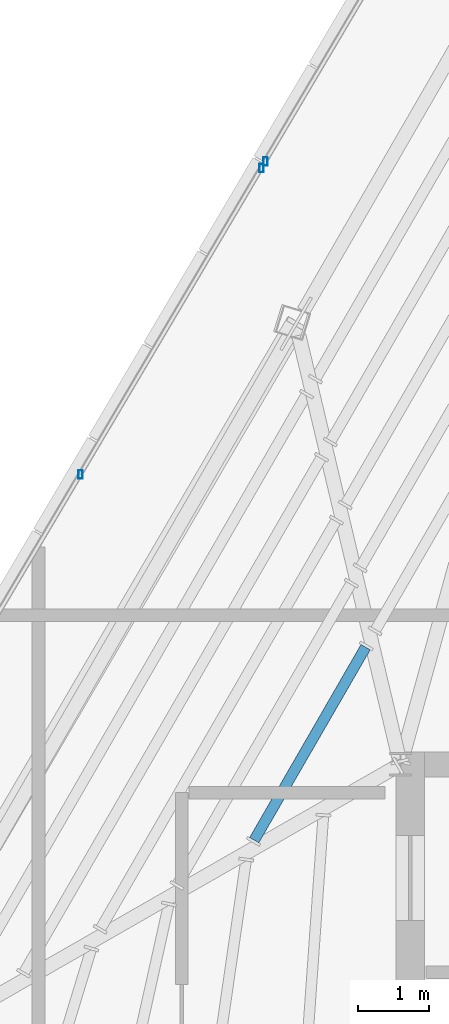
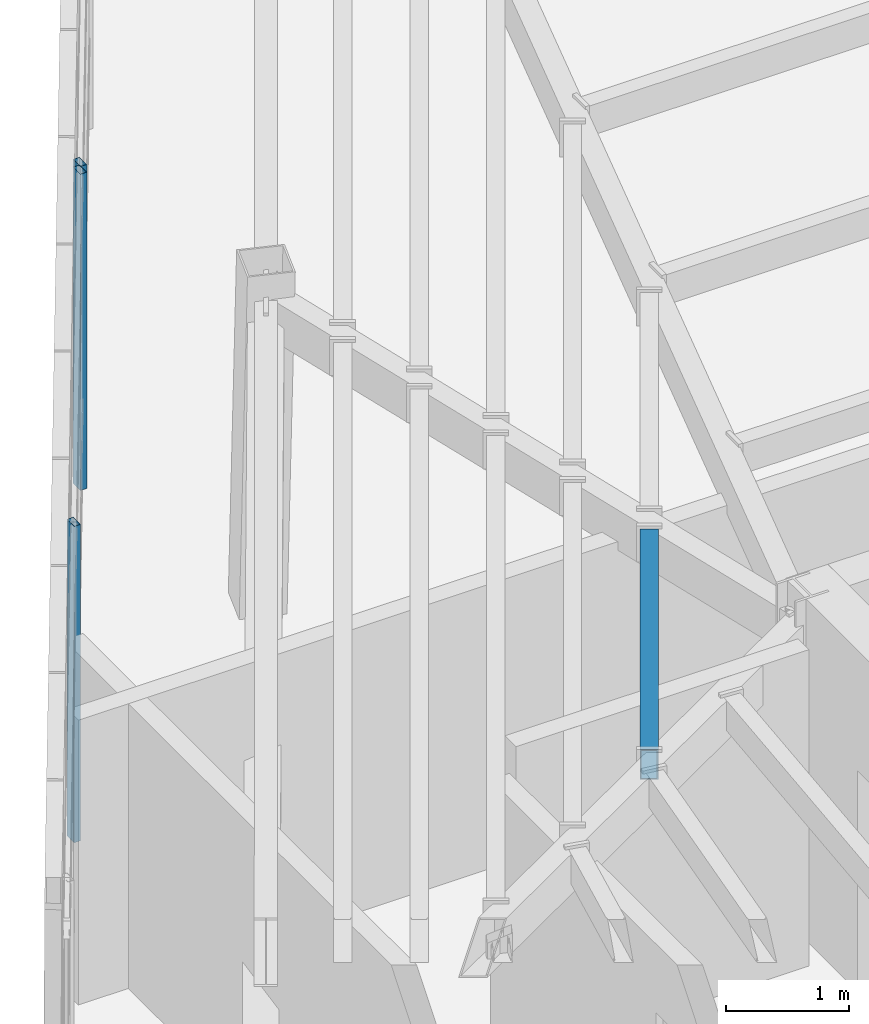
# One storey, part 19 of 47: 3 members, 1 beam, 2 elements without a shape of their own.
"""IFC4 building model written with IfcOpenShell, lengths in metres."""

import ifcopenshell
import ifcopenshell.guid

model = None  # the IFC model being written
_history = None  # IfcOwnerHistory: only IFC2X3 demands one
_inside = {}  # id of a spatial element -> (the spatial element, [elements in it])
_under = {}  # id of a project, library or spatial element -> (it, [spatial elements below it])
_declared = {}  # id of a project -> (the project, [libraries it declares])
_typed = {}  # id of a type object -> (the type object, [elements of that type])
_made_of = {}  # id of a material, layer set ... -> (it, [elements and type objects made of it])


def new_model(schema):
    """Start an empty IFC model of exactly this schema.

    Asked for "IFC4X3", IfcOpenShell would pick the latest addendum, in which some entities
    have other attributes; the version numbers below select the first issue.
    IFC2X3 requires an IfcOwnerHistory on every rooted entity: one is made here for all.
    """
    global model, _history
    if schema == "IFC4X3":
        model = ifcopenshell.file(schema_version=(4, 3, 0, 0))
    else:
        model = ifcopenshell.file(schema=schema)
    _inside.clear()
    _under.clear()
    _declared.clear()
    _typed.clear()
    _made_of.clear()
    _history = None
    if model.schema == "IFC2X3":
        org = make("IfcOrganization", Name="unknown")
        user = make(
            "IfcPersonAndOrganization",
            ThePerson=make("IfcPerson", FamilyName="unknown"),
            TheOrganization=org,
        )
        app = make(
            "IfcApplication",
            ApplicationDeveloper=org,
            Version="unknown",
            ApplicationFullName="unknown",
            ApplicationIdentifier="unknown",
        )
        _history = make(
            "IfcOwnerHistory",
            OwningUser=user,
            OwningApplication=app,
            ChangeAction="ADDED",
            CreationDate=0,
        )
    return model


def make(cls, **values):
    """One entity of the class cls with the attributes given. An attribute that is None is left unset."""
    return model.create_entity(
        cls, **{name: value for name, value in values.items() if value is not None}
    )


def rooted(cls, **values):
    """An entity with a GlobalId (a new one), such as an element, a storey or a relation."""
    return make(cls, GlobalId=ifcopenshell.guid.new(), OwnerHistory=_history, **values)


def si_unit(unit_type, name, prefix=None):
    """IfcSIUnit, for example si_unit("LENGTHUNIT", "METRE", prefix="MILLI")."""
    return make("IfcSIUnit", UnitType=unit_type, Prefix=prefix, Name=name)


def assignment(units):
    """IfcUnitAssignment: the units of a project."""
    return None if units is None else make("IfcUnitAssignment", Units=units)


def point(xyz):
    """IfcCartesianPoint."""
    return None if xyz is None else make("IfcCartesianPoint", Coordinates=xyz)


def direction(xyz):
    """IfcDirection."""
    return None if xyz is None else make("IfcDirection", DirectionRatios=xyz)


def frame(location, z_axis=None, x_axis=None):
    """IfcAxis2Placement3D, a coordinate frame: its origin and axes. An axis left out is left unset."""
    return make(
        "IfcAxis2Placement3D",
        Location=point(location),
        Axis=direction(z_axis),
        RefDirection=direction(x_axis),
    )


def frame_2d(location, x_axis=None):
    """IfcAxis2Placement2D, a coordinate frame in the plane: its origin and x axis."""
    return make(
        "IfcAxis2Placement2D", Location=point(location), RefDirection=direction(x_axis)
    )


def origin():
    """The frame at (0, 0, 0) with its axes left unset."""
    return frame((0.0, 0.0, 0.0))


def origin_2d():
    """The frame at (0, 0) in the plane with its x axis left unset."""
    return frame_2d((0.0, 0.0))


def place(relative_to, where):
    """IfcLocalPlacement: puts the frame where relative to a parent placement (None: the world)."""
    return make(
        "IfcLocalPlacement", PlacementRelTo=relative_to, RelativePlacement=where
    )


def context(
    kind, dimensions, precision=None, world=None, true_north=None, identifier=None
):
    """IfcGeometricRepresentationContext, for example the 3D "Model" context."""
    return make(
        "IfcGeometricRepresentationContext",
        ContextIdentifier=identifier,
        ContextType=kind,
        CoordinateSpaceDimension=dimensions,
        Precision=precision,
        WorldCoordinateSystem=world,
        TrueNorth=true_north,
    )


def subcontext(parent, identifier, kind, view, scale=None):
    """IfcGeometricRepresentationSubContext, for example "Body" below "Model"."""
    return make(
        "IfcGeometricRepresentationSubContext",
        ContextIdentifier=identifier,
        ContextType=kind,
        ParentContext=parent,
        TargetScale=scale,
        TargetView=view,
    )


def project(units=None, contexts=None):
    """IfcProject with its units and contexts."""
    return rooted(
        "IfcProject",
        Name="project",
        RepresentationContexts=contexts,
        UnitsInContext=assignment(units),
    )


def spatial(cls, under=None, at=None, **own):
    """A site, building, storey or space (cls), placed at a placement, below another one or the project."""
    s = rooted(cls, ObjectPlacement=at, **own)
    if under is not None:
        _under.setdefault(under.id(), (under, []))[1].append(s)
    return s


def profile(cls, at=None, kind="AREA", **sizes):
    """A parametric profile (cls). Its sizes go by their IFC names, for example OverallWidth=200.0."""
    return make(cls, ProfileType=kind, Position=at, **sizes)


def hollow_rectangle(**sizes):
    """IfcRectangleHollowProfileDef."""
    return profile("IfcRectangleHollowProfileDef", **sizes)


def extrude(swept, where, along, depth):
    """IfcExtrudedAreaSolid: the profile swept, set in the frame where, extruded along a direction by depth."""
    return make(
        "IfcExtrudedAreaSolid",
        SweptArea=swept,
        Position=where,
        ExtrudedDirection=direction(along),
        Depth=depth,
    )


def shape(context_of_items, identifier, shape_type, items):
    """IfcShapeRepresentation: the items that make up one representation, for example the "Body"."""
    return make(
        "IfcShapeRepresentation",
        ContextOfItems=context_of_items,
        RepresentationIdentifier=identifier,
        RepresentationType=shape_type,
        Items=items,
    )


def source(mapping_origin, context_of_items, identifier, shape_type, items):
    """IfcRepresentationMap: a shape defined once, which mapped items show again and again."""
    return make(
        "IfcRepresentationMap",
        MappingOrigin=mapping_origin,
        MappedRepresentation=shape(context_of_items, identifier, shape_type, items),
    )


def transform(
    local_origin,
    x_axis=None,
    y_axis=None,
    z_axis=None,
    scale=None,
    scale2=None,
    scale3=None,
    uniform=True,
):
    """IfcCartesianTransformationOperator3D, or its non-uniform kind. x_axis, y_axis, z_axis: its Axis1, 2, 3."""
    if uniform:
        return make(
            "IfcCartesianTransformationOperator3D",
            Axis1=direction(x_axis),
            Axis2=direction(y_axis),
            LocalOrigin=point(local_origin),
            Scale=scale,
            Axis3=direction(z_axis),
        )
    return make(
        "IfcCartesianTransformationOperator3DnonUniform",
        Axis1=direction(x_axis),
        Axis2=direction(y_axis),
        LocalOrigin=point(local_origin),
        Scale=scale,
        Axis3=direction(z_axis),
        Scale2=scale2,
        Scale3=scale3,
    )


def mapped(mapping_source, mapping_target):
    """IfcMappedItem: shows the shape of a source again, moved by a transform."""
    return make(
        "IfcMappedItem", MappingSource=mapping_source, MappingTarget=mapping_target
    )


def material(Name=None, Category=None):
    """IfcMaterial."""
    return make("IfcMaterial", Name=Name, Category=Category)


def material_profile(
    of_material, cross_section, Name=None, Category=None, Priority=None
):
    """IfcMaterialProfile: a cross section and its material."""
    return make(
        "IfcMaterialProfile",
        Name=Name,
        Material=of_material,
        Profile=cross_section,
        Priority=Priority,
        Category=Category,
    )


def profile_set(profiles, Name=None, composite=None):
    """IfcMaterialProfileSet."""
    return make(
        "IfcMaterialProfileSet",
        Name=Name,
        MaterialProfiles=profiles,
        CompositeProfile=composite,
    )


def made_of(thing, what):
    """Note that an element or type object is made of a material, layer set ...; save() writes the relation."""
    if what is not None:
        _made_of.setdefault(what.id(), (what, []))[1].append(thing)
    return thing


def type_object(cls, material=None, **own):
    """A type object (cls), such as IfcWallType, which elements share."""
    return made_of(rooted(cls, **own), material)


def type_shapes(of_type, sources):
    """Give a type object the sources (RepresentationMaps) that its elements show as mapped items."""
    of_type.RepresentationMaps = sources


def element(
    cls,
    number,
    at=None,
    inside=None,
    cuts=None,
    type_object=None,
    material=None,
    context=None,
    identifier="Body",
    shape_type=None,
    held_by="IfcProductDefinitionShape",
    body=None,
    shapes=None,
    **own,
):
    """One element of the class cls, such as IfcWall. Its Tag is "e" and its number.

    at: its placement. inside: the storey or other place that contains it. cuts: it is an
    opening in that element (IfcRelVoidsElement). A single representation is given by context,
    identifier, shape_type and body (its items); several are given by shapes. held_by: the class
    of the entity that holds the representations. save() writes the other relations.
    """
    e = rooted(cls, Tag="e%d" % number, ObjectPlacement=at, **own)
    if body is not None:
        shapes = [shape(context, identifier, shape_type, body)]
    if shapes is not None:
        e.Representation = make(held_by, Representations=shapes)
    if inside is not None:
        _inside.setdefault(inside.id(), (inside, []))[1].append(e)
    if cuts is not None:
        rooted(
            "IfcRelVoidsElement", RelatingBuildingElement=cuts, RelatedOpeningElement=e
        )
    if type_object is not None:
        _typed.setdefault(type_object.id(), (type_object, []))[1].append(e)
    return made_of(e, material)


def aggregate(whole, parts):
    """IfcRelAggregates: a whole, such as a stair, and the parts it consists of."""
    return rooted("IfcRelAggregates", RelatingObject=whole, RelatedObjects=parts)


def save(model, path):
    """Write the relations noted so far, then the file.

    IfcRelAggregates (storeys below a building ...), IfcRelContainedInSpatialStructure (elements
    in a storey), IfcRelDefinesByType, IfcRelAssociatesMaterial and IfcRelDeclares: one each for
    every whole, place, type object, material and project.
    """
    for whole, parts in _under.values():
        aggregate(whole, parts)
    for where, things in _inside.values():
        rooted(
            "IfcRelContainedInSpatialStructure",
            RelatedElements=things,
            RelatingStructure=where,
        )
    for kind, things in _typed.values():
        rooted("IfcRelDefinesByType", RelatedObjects=things, RelatingType=kind)
    for what, things in _made_of.values():
        rooted("IfcRelAssociatesMaterial", RelatedObjects=things, RelatingMaterial=what)
    for by, libraries in _declared.values():
        rooted("IfcRelDeclares", RelatingContext=by, RelatedDefinitions=libraries)
    model.write(path)


model = new_model("IFC4")

# Units and contexts
model_context = context("Model", 3, precision=1e-05, world=origin(), true_north=direction((0.0, 1.0)))
body_context = subcontext(model_context, "Body", "Model", "MODEL_VIEW")
ifc_project = project(units=[si_unit("LENGTHUNIT", "METRE"), si_unit("AREAUNIT", "SQUARE_METRE"), si_unit("VOLUMEUNIT", "CUBIC_METRE"), si_unit("PLANEANGLEUNIT", "RADIAN"), si_unit("MASSUNIT", "GRAM", prefix="KILO")], contexts=[model_context])

# Site, building, storey
site_placement = place(None, origin())
site = spatial("IfcSite", under=ifc_project, at=site_placement, CompositionType="ELEMENT")
building_placement = place(site_placement, origin())
building = spatial("IfcBuilding", under=site, at=building_placement, Name="Caelisora Broadcast Tower", CompositionType="ELEMENT")
storey_placement = place(building_placement, frame((0.0, 0.0, 293.199951171875)))
storey = spatial("IfcBuildingStorey", under=building, at=storey_placement, Name="L77", CompositionType="ELEMENT", Elevation=293.199951171875)

# Beam
ifc_material_1 = material(Name="Steel Grade 350 (AS/NZS 1163 C350L0)", Category="steel")
ifc_material_profile_1 = material_profile(ifc_material_1, hollow_rectangle(XDim=0.14990234375, YDim=0.300048828125, WallThickness=0.010009765625, at=origin_2d()), Name="Steel Grade 350 (AS/NZS 1163 C350L0)")
ifc_profile_set_1 = profile_set([ifc_material_profile_1], Name="Steel Grade 350 (AS/NZS 1163 C350L0)")
beam_type = type_object("IfcBeamType", Name="SB05", PredefinedType="JOIST", material=ifc_profile_set_1)
shared_shape_1 = source(origin(), body_context, "Body", "SweptSolid", [
    extrude(hollow_rectangle(XDim=0.14990234375, YDim=0.300048828125, WallThickness=0.010009765625, at=origin_2d()), origin(), (0.0, 0.0, 1.0), 3.138427734375),
])
type_shapes(beam_type, [shared_shape_1])
beam_placement = place(storey_placement, frame((30.00830078125, 31.6494140625, 3.0), z_axis=(-0.499962627957, -0.866046979468, 0.0), x_axis=(0.866046979468, -0.499962627957, 0.0)))
element("IfcBeam", 1, at=beam_placement, inside=storey, type_object=beam_type, Name="L77 beam SB05", PredefinedType="JOIST", context=body_context, shape_type="MappedRepresentation", body=[
    mapped(shared_shape_1, transform((0.0, 0.0, 0.0), scale=1.0)),
])

# Curtain wall, members
ifc_material_2 = material(Name="Unitised Aluminium Insulated Shadow-Box Spandrel Curtain Wall", Category="aluminium")
curtain_wall_type = type_object("IfcCurtainWallType", Name="CW-SP3", PredefinedType="NOTDEFINED", material=ifc_material_2)
curtain_wall_1_placement = place(storey_placement, origin())
curtain_wall_1 = element("IfcCurtainWall", 2, at=curtain_wall_1_placement, inside=storey, type_object=curtain_wall_type, Name="L77 curtain wall CW-SP3", PredefinedType="NOTDEFINED")
ifc_material_3 = material(Name="Aluminium 6063-T6 Anodised Terracotta Bronze", Category="aluminium")
ifc_material_profile_2 = material_profile(ifc_material_3, hollow_rectangle(XDim=0.06005859375, YDim=0.1201171875, WallThickness=0.0029296875, at=origin_2d()), Name="Aluminium 6063-T6 Anodised Terracotta Bronze")
ifc_profile_set_2 = profile_set([ifc_material_profile_2], Name="Aluminium 6063-T6 Anodised Terracotta Bronze")
member_type = type_object("IfcMemberType", Name="CWM-04", PredefinedType="MULLION", material=ifc_profile_set_2)
shared_shape_2 = source(origin(), body_context, "Body", "SweptSolid", [
    extrude(hollow_rectangle(XDim=0.06005859375, YDim=0.1201171875, WallThickness=0.0029296875, at=origin_2d()), origin(), (0.0, 0.0, 1.0), 3.150146484375),
])
type_shapes(member_type, [shared_shape_2])
member_1_placement = place(storey_placement, frame((25.992919921875, 34.084228515625, 0.0), z_axis=(0.0, 0.0, 1.0), x_axis=(1.0, 0.0, 0.0)))
member_1 = element("IfcMember", 3, at=member_1_placement, type_object=member_type, Name="L77-CW-B10 mullion #2", PredefinedType="MULLION", context=body_context, shape_type="MappedRepresentation", body=[
    mapped(shared_shape_2, transform((0.0, 0.0, 0.0), scale=1.0)),
])
member_2_placement = place(storey_placement, frame((28.541748046875, 38.39697265625, 0.0), z_axis=(0.0, 0.0, 1.0), x_axis=(1.0, 0.0, 0.0)))
member_2 = element("IfcMember", 4, at=member_2_placement, type_object=member_type, Name="L77-CW-B10 mullion #3", PredefinedType="MULLION", context=body_context, shape_type="MappedRepresentation", body=[
    mapped(shared_shape_2, transform((0.0, 0.0, 0.0), scale=1.0)),
])
aggregate(curtain_wall_1, [member_1, member_2])

# Curtain wall, member
curtain_wall_2_placement = place(storey_placement, origin())
curtain_wall_2 = element("IfcCurtainWall", 5, at=curtain_wall_2_placement, inside=storey, type_object=curtain_wall_type, Name="L77 curtain wall CW-SP3", PredefinedType="NOTDEFINED")
member_3_placement = place(storey_placement, frame((28.59765625, 38.49169921875, 0.0), z_axis=(0.0, 0.0, 1.0), x_axis=(1.0, 0.0, 0.0)))
member_3 = element("IfcMember", 6, at=member_3_placement, type_object=member_type, Name="L77-CW-B11 mullion #0", PredefinedType="MULLION", context=body_context, shape_type="MappedRepresentation", body=[
    mapped(shared_shape_2, transform((0.0, 0.0, 0.0), scale=1.0)),
])
aggregate(curtain_wall_2, [member_3])

save(model, "model.ifc")
